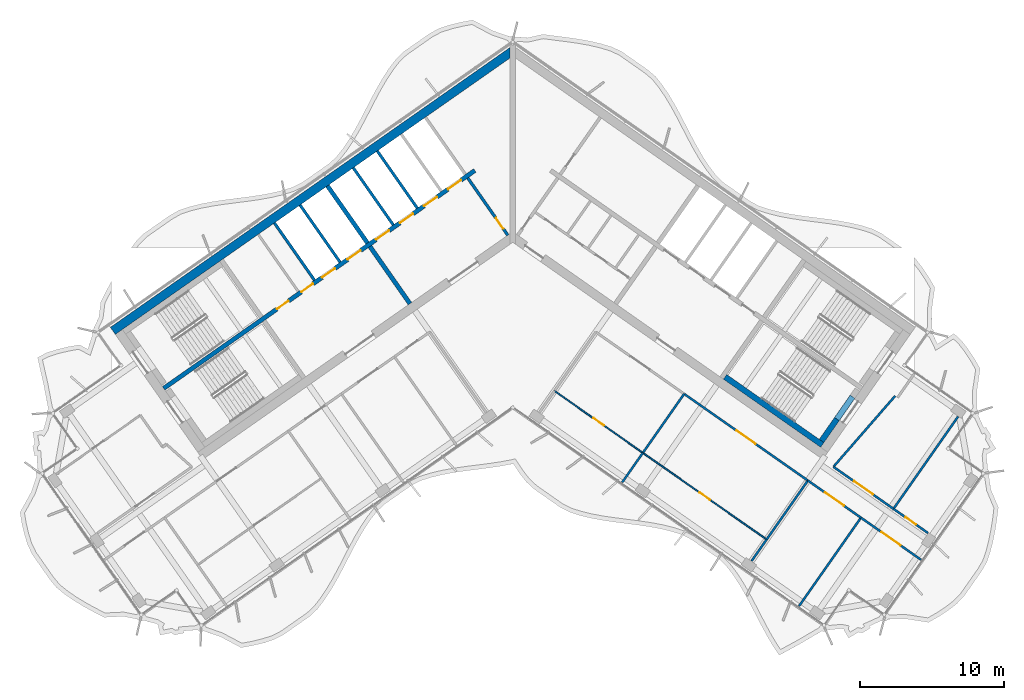
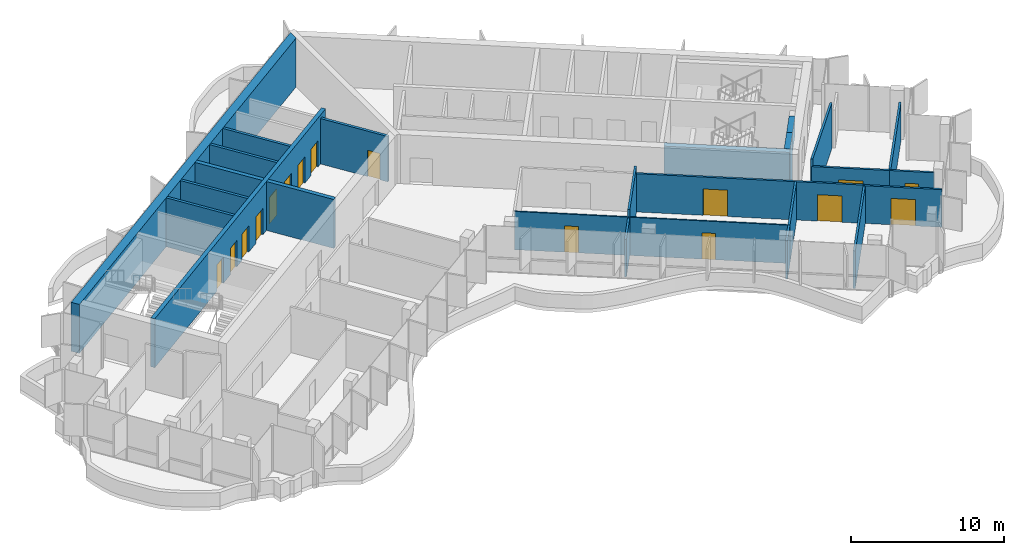
# One storey, part 12 of 20: 26 walls, 16 doors, 16 openings.
"""IFC4 building model written with IfcOpenShell, lengths in metres."""

from ifc_helpers import new_model, si_unit, direction, frame, frame_2d, origin, place, context, subcontext, project, spatial, polyline, rectangle, outline, extrude, material, layer, layer_set, type_object, element, fill, save


model = new_model("IFC4")

# Units and contexts
model_context = context("Model", 3, precision=1e-05, world=origin(), true_north=direction((0.0, 1.0)))
body_context = subcontext(model_context, "Body", "Model", "MODEL_VIEW")
ifc_project = project(units=[si_unit("LENGTHUNIT", "METRE"), si_unit("AREAUNIT", "SQUARE_METRE"), si_unit("VOLUMEUNIT", "CUBIC_METRE"), si_unit("PLANEANGLEUNIT", "RADIAN"), si_unit("MASSUNIT", "GRAM", prefix="KILO")], contexts=[model_context])

# Site, building, storey
site_placement = place(None, origin())
site = spatial("IfcSite", under=ifc_project, at=site_placement, CompositionType="ELEMENT")
building_placement = place(site_placement, origin())
building = spatial("IfcBuilding", under=site, at=building_placement, Name="Tel Ilan Convention Tower", CompositionType="ELEMENT")
storey_placement = place(building_placement, frame((0.0, 0.0, 229.300048828125)))
storey = spatial("IfcBuildingStorey", under=building, at=storey_placement, Name="L53", CompositionType="ELEMENT", Elevation=229.300048828125)

# Wall, opening, door
ifc_material_1 = material(Name="Concrete C30/37", Category="concrete")
ifc_layer_1 = layer(ifc_material_1, 0.199951171875)
ifc_layer_set_1 = layer_set([ifc_layer_1], Name="Core Service Room Wall 200 mm C30/37")
wall_type_1 = type_object("IfcWallType", Name="Core Service Room Wall 200 mm C30/37", PredefinedType="SOLIDWALL", material=ifc_layer_set_1)
wall_1_placement = place(storey_placement, frame((-0.343994140625, -0.729248046875, 0.0), z_axis=(0.0, 0.0, 1.0), x_axis=(-0.573560315113, 0.819163332265, 0.0)))
wall_1 = element("IfcWall", 1, at=wall_1_placement, inside=storey, type_object=wall_type_1, Name="L53 core wall apex-W", PredefinedType="SOLIDWALL", context=body_context, shape_type="SweptSolid", body=[
    extrude(rectangle(XDim=4.849853515625, YDim=0.199951171875, at=frame_2d((2.4248046875, 0.0))), origin(), (0.0, 0.0, 1.0), 3.619873046875),
])
opening_1_placement = place(wall_1_placement, frame((0.550048828125, 0.0, 0.0)))
opening_1 = element("IfcOpeningElement", 2, at=opening_1_placement, cuts=wall_1, Name="Opening CD4202", PredefinedType="OPENING", context=body_context, shape_type="SweptSolid", body=[
    extrude(rectangle(XDim=0.89990234375, YDim=2.10009765625, at=frame_2d((0.449951171875, 1.050048828125))), frame((0.0, 0.10986328125, 0.0), z_axis=(0.0, -1.0, 0.0), x_axis=(1.0, 0.0, 0.0)), (0.0, 0.0, 1.0), 0.219970703125),
])
ifc_material_2 = material(Name="Galvanised Steel Door Leaf", Category="steel")
door_type_1 = type_object("IfcDoorType", Name="Service Room Door 900 x 2100 FD60", OperationType="NOTDEFINED", PredefinedType="DOOR", material=ifc_material_2)
door_1_placement = place(opening_1_placement, origin())
door_1 = element("IfcDoor", 3, at=door_1_placement, inside=storey, type_object=door_type_1, Name="Telecom Room door", OperationType="SINGLE_SWING_RIGHT", OverallHeight=2.10009765625, OverallWidth=0.89990234375, PredefinedType="DOOR", context=body_context, shape_type="SweptSolid", body=[
    extrude(rectangle(XDim=0.89990234375, YDim=2.10009765625, at=frame_2d((0.449951171875, 1.050048828125))), frame((0.0, 0.02490234375, 0.0), z_axis=(0.0, -1.0, 0.0), x_axis=(1.0, 0.0, 0.0)), (0.0, 0.0, 1.0), 0.050048828125),
])
fill(opening_1, door_1)

# Walls
ifc_material_3 = material(Name="Concrete C40/50", Category="concrete")
ifc_layer_2 = layer(ifc_material_3, 0.300048828125)
ifc_layer_set_2 = layer_set([ifc_layer_2], Name="Core Shear Wall 300 mm C40/50")
wall_type_2 = type_object("IfcWallType", Name="Core Shear Wall 300 mm C40/50", PredefinedType="SHEAR", material=ifc_layer_set_2)
wall_2_placement = place(storey_placement, frame((-7.142822265625, -5.48974609375, 0.0), z_axis=(0.0, 0.0, 1.0), x_axis=(-0.573617744349, 0.819123118565, 0.0)))
element("IfcWall", 4, at=wall_2_placement, inside=storey, type_object=wall_type_2, Name="L53 core wall W-cross1-1", PredefinedType="SHEAR", context=body_context, shape_type="SweptSolid", body=[
    extrude(outline(polyline([(4.85009765625, 0.14990234375), (0.0, 0.150146484375), (0.0, -0.14990234375), (4.85009765625, -0.150146484375), (4.85009765625, 0.14990234375)])), origin(), (0.0, 0.0, 1.0), 3.89990234375),
])
wall_3_placement = place(storey_placement, frame((-10.096923828125, -1.271240234375, 0.0), z_axis=(0.0, 0.0, 1.0), x_axis=(-0.573560315113, 0.819163332265, 0.0)))
element("IfcWall", 5, at=wall_3_placement, inside=storey, type_object=wall_type_2, Name="L53 core wall W-cross1-2", PredefinedType="SHEAR", context=body_context, shape_type="SweptSolid", body=[
    extrude(outline(polyline([(4.849853515625, -0.14990234375), (4.849853515625, 0.150146484375), (0.0, 0.14990234375), (0.0, -0.150146484375), (4.849853515625, -0.14990234375)])), origin(), (0.0, 0.0, 1.0), 3.89990234375),
])

# Wall, openings, doors
wall_4_placement = place(storey_placement, frame((-2.638427734375, 3.76806640625, 0.0), z_axis=(0.0, 0.0, 1.0), x_axis=(-0.819155014212, -0.573572194837, 0.0)))
wall_4 = element("IfcWall", 6, at=wall_4_placement, inside=storey, type_object=wall_type_2, Name="L53 core wall W-spine", PredefinedType="SHEAR", context=body_context, shape_type="SweptSolid", body=[
    extrude(outline(polyline([(26.39990234375, 0.150146484375), (0.0, 0.14990234375), (0.0, -0.150146484375), (26.39990234375, -0.14990234375), (26.39990234375, 0.150146484375)])), origin(), (0.0, 0.0, 1.0), 3.89990234375),
])
opening_2_placement = place(wall_4_placement, frame((1.168701171875, 0.0, 0.0)))
opening_2 = element("IfcOpeningElement", 7, at=opening_2_placement, cuts=wall_4, Name="Opening LD4204", PredefinedType="OPENING", context=body_context, shape_type="SweptSolid", body=[
    extrude(rectangle(XDim=1.10009765625, YDim=2.10009765625, at=frame_2d((0.550048828125, 1.050048828125))), frame((0.0, 0.159912109375, 0.0), z_axis=(0.0, -1.0, 0.0), x_axis=(1.0, 0.0, 0.0)), (0.0, 0.0, 1.0), 0.320068359375),
])
opening_3_placement = place(wall_4_placement, frame((3.206298828125, 0.0, 0.0)))
opening_3 = element("IfcOpeningElement", 8, at=opening_3_placement, cuts=wall_4, Name="Opening LD4205", PredefinedType="OPENING", context=body_context, shape_type="SweptSolid", body=[
    extrude(rectangle(XDim=1.10009765625, YDim=2.10009765625, at=frame_2d((0.550048828125, 1.050048828125))), frame((0.0, 0.159912109375, 0.0), z_axis=(0.0, -1.0, 0.0), x_axis=(1.0, 0.0, 0.0)), (0.0, 0.0, 1.0), 0.320068359375),
])
opening_4_placement = place(wall_4_placement, frame((5.24365234375, 0.0, 0.0)))
opening_4 = element("IfcOpeningElement", 9, at=opening_4_placement, cuts=wall_4, Name="Opening LD4206", PredefinedType="OPENING", context=body_context, shape_type="SweptSolid", body=[
    extrude(rectangle(XDim=1.10009765625, YDim=2.10009765625, at=frame_2d((0.550048828125, 1.050048828125))), frame((0.0, 0.159912109375, 0.0), z_axis=(0.0, -1.0, 0.0), x_axis=(1.0, 0.0, 0.0)), (0.0, 0.0, 1.0), 0.320068359375),
])
opening_5_placement = place(wall_4_placement, frame((7.28125, 0.0, 0.0)))
opening_5 = element("IfcOpeningElement", 10, at=opening_5_placement, cuts=wall_4, Name="Opening LD4207", PredefinedType="OPENING", context=body_context, shape_type="SweptSolid", body=[
    extrude(rectangle(XDim=1.10009765625, YDim=2.10009765625, at=frame_2d((0.550048828125, 1.050048828125))), frame((0.0, 0.159912109375, 0.0), z_axis=(0.0, -1.0, 0.0), x_axis=(1.0, 0.0, 0.0)), (0.0, 0.0, 1.0), 0.320068359375),
])
opening_6_placement = place(wall_4_placement, frame((9.6875, 0.0, 0.0)))
opening_6 = element("IfcOpeningElement", 11, at=opening_6_placement, cuts=wall_4, Name="Opening LD4208", PredefinedType="OPENING", context=body_context, shape_type="SweptSolid", body=[
    extrude(rectangle(XDim=1.10009765625, YDim=2.10009765625, at=frame_2d((0.550048828125, 1.050048828125))), frame((0.0, 0.159912109375, 0.0), z_axis=(0.0, -1.0, 0.0), x_axis=(1.0, 0.0, 0.0)), (0.0, 0.0, 1.0), 0.320068359375),
])
opening_7_placement = place(wall_4_placement, frame((11.862548828125, 0.0, 0.0)))
opening_7 = element("IfcOpeningElement", 12, at=opening_7_placement, cuts=wall_4, Name="Opening LD4209", PredefinedType="OPENING", context=body_context, shape_type="SweptSolid", body=[
    extrude(rectangle(XDim=1.10009765625, YDim=2.10009765625, at=frame_2d((0.550048828125, 1.050048828125))), frame((0.0, 0.159912109375, 0.0), z_axis=(0.0, -1.0, 0.0), x_axis=(1.0, 0.0, 0.0)), (0.0, 0.0, 1.0), 0.320068359375),
])
opening_8_placement = place(wall_4_placement, frame((13.722412109375, 0.0, 0.0)))
opening_8 = element("IfcOpeningElement", 13, at=opening_8_placement, cuts=wall_4, Name="Opening CD4209", PredefinedType="OPENING", context=body_context, shape_type="SweptSolid", body=[
    extrude(rectangle(XDim=1.0, YDim=2.10009765625, at=frame_2d((0.5, 1.050048828125))), frame((0.0, 0.159912109375, 0.0), z_axis=(0.0, -1.0, 0.0), x_axis=(1.0, 0.0, 0.0)), (0.0, 0.0, 1.0), 0.320068359375),
])
opening_9_placement = place(wall_4_placement, frame((15.797607421875, 0.0, 0.0)))
opening_9 = element("IfcOpeningElement", 14, at=opening_9_placement, cuts=wall_4, Name="Opening CD4210", PredefinedType="OPENING", context=body_context, shape_type="SweptSolid", body=[
    extrude(rectangle(XDim=1.0, YDim=2.10009765625, at=frame_2d((0.5, 1.050048828125))), frame((0.0, 0.159912109375, 0.0), z_axis=(0.0, -1.0, 0.0), x_axis=(1.0, 0.0, 0.0)), (0.0, 0.0, 1.0), 0.320068359375),
])
ifc_material_4 = material(Name="Stainless Steel Sliding Door Leaf", Category="steel")
door_type_2 = type_object("IfcDoorType", Name="Lift Landing Door 1100 x 2100 FD120", OperationType="NOTDEFINED", PredefinedType="DOOR", material=ifc_material_4)
door_2_placement = place(opening_2_placement, origin())
door_2 = element("IfcDoor", 15, at=door_2_placement, inside=storey, type_object=door_type_2, Name="Lift HR1 landing door", OperationType="SLIDING_TO_LEFT", OverallHeight=2.10009765625, OverallWidth=1.10009765625, PredefinedType="DOOR", context=body_context, shape_type="SweptSolid", body=[
    extrude(rectangle(XDim=1.10009765625, YDim=2.10009765625, at=frame_2d((0.550048828125, 1.050048828125))), frame((0.0, 0.02490234375, 0.0), z_axis=(0.0, -1.0, 0.0), x_axis=(1.0, 0.0, 0.0)), (0.0, 0.0, 1.0), 0.050048828125),
])
fill(opening_2, door_2)
door_3_placement = place(opening_3_placement, origin())
door_3 = element("IfcDoor", 16, at=door_3_placement, inside=storey, type_object=door_type_2, Name="Lift HR2 landing door", OperationType="SLIDING_TO_RIGHT", OverallHeight=2.10009765625, OverallWidth=1.10009765625, PredefinedType="DOOR", context=body_context, shape_type="SweptSolid", body=[
    extrude(rectangle(XDim=1.10009765625, YDim=2.10009765625, at=frame_2d((0.550048828125, 1.050048828125))), frame((0.0, 0.02490234375, 0.0), z_axis=(0.0, -1.0, 0.0), x_axis=(1.0, 0.0, 0.0)), (0.0, 0.0, 1.0), 0.050048828125),
])
fill(opening_3, door_3)
door_4_placement = place(opening_4_placement, origin())
door_4 = element("IfcDoor", 17, at=door_4_placement, inside=storey, type_object=door_type_2, Name="Lift HR3 landing door", OperationType="SLIDING_TO_LEFT", OverallHeight=2.10009765625, OverallWidth=1.10009765625, PredefinedType="DOOR", context=body_context, shape_type="SweptSolid", body=[
    extrude(rectangle(XDim=1.10009765625, YDim=2.10009765625, at=frame_2d((0.550048828125, 1.050048828125))), frame((0.0, 0.02490234375, 0.0), z_axis=(0.0, -1.0, 0.0), x_axis=(1.0, 0.0, 0.0)), (0.0, 0.0, 1.0), 0.050048828125),
])
fill(opening_4, door_4)
door_5_placement = place(opening_5_placement, origin())
door_5 = element("IfcDoor", 18, at=door_5_placement, inside=storey, type_object=door_type_2, Name="Lift HR4 landing door", OperationType="SLIDING_TO_RIGHT", OverallHeight=2.10009765625, OverallWidth=1.10009765625, PredefinedType="DOOR", context=body_context, shape_type="SweptSolid", body=[
    extrude(rectangle(XDim=1.10009765625, YDim=2.10009765625, at=frame_2d((0.550048828125, 1.050048828125))), frame((0.0, 0.02490234375, 0.0), z_axis=(0.0, -1.0, 0.0), x_axis=(1.0, 0.0, 0.0)), (0.0, 0.0, 1.0), 0.050048828125),
])
fill(opening_5, door_5)
door_6_placement = place(opening_6_placement, origin())
door_6 = element("IfcDoor", 19, at=door_6_placement, inside=storey, type_object=door_type_2, Name="Lift HR5 landing door", OperationType="SLIDING_TO_LEFT", OverallHeight=2.10009765625, OverallWidth=1.10009765625, PredefinedType="DOOR", context=body_context, shape_type="SweptSolid", body=[
    extrude(rectangle(XDim=1.10009765625, YDim=2.10009765625, at=frame_2d((0.550048828125, 1.050048828125))), frame((0.0, 0.02490234375, 0.0), z_axis=(0.0, -1.0, 0.0), x_axis=(1.0, 0.0, 0.0)), (0.0, 0.0, 1.0), 0.050048828125),
])
fill(opening_6, door_6)
door_7_placement = place(opening_7_placement, origin())
door_7 = element("IfcDoor", 20, at=door_7_placement, inside=storey, type_object=door_type_2, Name="Lift HR6 landing door", OperationType="SLIDING_TO_RIGHT", OverallHeight=2.10009765625, OverallWidth=1.10009765625, PredefinedType="DOOR", context=body_context, shape_type="SweptSolid", body=[
    extrude(rectangle(XDim=1.10009765625, YDim=2.10009765625, at=frame_2d((0.550048828125, 1.050048828125))), frame((0.0, 0.02490234375, 0.0), z_axis=(0.0, -1.0, 0.0), x_axis=(1.0, 0.0, 0.0)), (0.0, 0.0, 1.0), 0.050048828125),
])
fill(opening_7, door_7)
ifc_material_5 = material(Name="Galvanised Steel Door Leaf", Category="steel")
door_type_3 = type_object("IfcDoorType", Name="Service Room Door 1000 x 2100 FD60", OperationType="NOTDEFINED", PredefinedType="DOOR", material=ifc_material_5)
door_8_placement = place(opening_8_placement, origin())
door_8 = element("IfcDoor", 21, at=door_8_placement, inside=storey, type_object=door_type_3, Name="Plant Room door", OperationType="SINGLE_SWING_RIGHT", OverallHeight=2.10009765625, OverallWidth=1.0, PredefinedType="DOOR", context=body_context, shape_type="SweptSolid", body=[
    extrude(rectangle(XDim=1.0, YDim=2.10009765625, at=frame_2d((0.5, 1.050048828125))), frame((0.0, 0.02490234375, 0.0), z_axis=(0.0, -1.0, 0.0), x_axis=(1.0, 0.0, 0.0)), (0.0, 0.0, 1.0), 0.050048828125),
])
fill(opening_8, door_8)
door_9_placement = place(opening_9_placement, origin())
door_9 = element("IfcDoor", 22, at=door_9_placement, inside=storey, type_object=door_type_3, Name="Plant Room door", OperationType="SINGLE_SWING_RIGHT", OverallHeight=2.10009765625, OverallWidth=1.0, PredefinedType="DOOR", context=body_context, shape_type="SweptSolid", body=[
    extrude(rectangle(XDim=1.0, YDim=2.10009765625, at=frame_2d((0.5, 1.050048828125))), frame((0.0, 0.02490234375, 0.0), z_axis=(0.0, -1.0, 0.0), x_axis=(1.0, 0.0, 0.0)), (0.0, 0.0, 1.0), 0.050048828125),
])
fill(opening_9, door_9)

# Wall
ifc_material_6 = material(Name="Concrete C40/50", Category="concrete")
ifc_layer_3 = layer(ifc_material_6, 0.60009765625)
ifc_layer_set_3 = layer_set([ifc_layer_3], Name="Core Shear Wall 600 mm C40/50")
wall_type_3 = type_object("IfcWallType", Name="Core Shear Wall 600 mm C40/50", PredefinedType="SHEAR", material=ifc_layer_set_3)
wall_5_placement = place(storey_placement, frame((-0.02783203125, 12.066162109375, 0.0), z_axis=(0.0, 0.0, 1.0), x_axis=(-0.819151382952, -0.573577380837, 0.0)))
element("IfcWall", 23, at=wall_5_placement, inside=storey, type_object=wall_type_3, Name="L53 core wall W-back", PredefinedType="SHEAR", context=body_context, shape_type="SweptSolid", body=[
    extrude(outline(polyline([(33.89794921875, 0.300048828125), (0.420166015625, 0.300048828125), (0.0, -0.300048828125), (33.898193359375, -0.300048828125), (33.89794921875, 0.300048828125)])), origin(), (0.0, 0.0, 1.0), 3.89990234375),
])

# Wall, opening, door
ifc_material_7 = material(Name="Plasterboard on Steel Studs", Category="steel")
ifc_layer_4 = layer(ifc_material_7, 0.14990234375)
ifc_layer_set_4 = layer_set([ifc_layer_4], Name="Fire-rated Partition 150 EI 60")
wall_type_4 = type_object("IfcWallType", Name="Fire-rated Partition 150 EI 60", PredefinedType="PARTITIONING", material=ifc_layer_set_4)
wall_6_placement = place(storey_placement, frame((22.283203125, -16.82373046875, 0.0), z_axis=(0.0, 0.0, 1.0), x_axis=(0.819171182807, -0.573549102744, 0.0)))
wall_6 = element("IfcWall", 24, at=wall_6_placement, inside=storey, type_object=wall_type_4, Name="Partition 001", PredefinedType="PARTITIONING", context=body_context, shape_type="SweptSolid", body=[
    extrude(rectangle(XDim=5.09912109375, YDim=0.14990234375, at=frame_2d((2.549560546875, 0.0))), origin(), (0.0, 0.0, 1.0), 3.050048828125),
])
opening_10_placement = place(wall_6_placement, frame((1.74951171875, 0.0, 0.0)))
opening_10 = element("IfcOpeningElement", 25, at=opening_10_placement, cuts=wall_6, Name="Opening L53-015", PredefinedType="OPENING", context=body_context, shape_type="SweptSolid", body=[
    extrude(rectangle(XDim=1.60009765625, YDim=2.10009765625, at=frame_2d((0.800048828125, 1.050048828125))), frame((0.0, 0.0849609375, 0.0), z_axis=(0.0, -1.0, 0.0), x_axis=(1.0, 0.0, 0.0)), (0.0, 0.0, 1.0), 0.169921875),
])
ifc_material_8 = material(Name="Timber Door Leaf in Steel Frame", Category="steel")
door_type_4 = type_object("IfcDoorType", Name="Tenant Suite Entrance Fire Door 1600x2100", OperationType="NOTDEFINED", PredefinedType="DOOR", material=ifc_material_8)
door_10_placement = place(opening_10_placement, origin())
door_10 = element("IfcDoor", 26, at=door_10_placement, inside=storey, type_object=door_type_4, Name="Door L53-015", OperationType="DOUBLE_DOOR_SINGLE_SWING", OverallHeight=2.10009765625, OverallWidth=1.60009765625, PredefinedType="DOOR", context=body_context, shape_type="SweptSolid", body=[
    extrude(rectangle(XDim=1.60009765625, YDim=2.10009765625, at=frame_2d((0.800048828125, 1.050048828125))), frame((0.0, 0.02490234375, 0.0), z_axis=(0.0, -1.0, 0.0), x_axis=(1.0, 0.0, 0.0)), (0.0, 0.0, 1.0), 0.050048828125),
])
fill(opening_10, door_10)

wall_7_placement = place(storey_placement, frame((26.456787109375, -19.74609375, 0.0), z_axis=(0.0, 0.0, 1.0), x_axis=(0.819177150809, -0.573540578855, 0.0)))
wall_7 = element("IfcWall", 27, at=wall_7_placement, inside=storey, type_object=wall_type_4, Name="Partition 002", PredefinedType="PARTITIONING", context=body_context, shape_type="SweptSolid", body=[
    extrude(rectangle(XDim=2.93212890625, YDim=0.14990234375, at=frame_2d((1.466064453125, 0.0))), origin(), (0.0, 0.0, 1.0), 3.050048828125),
])
opening_11_placement = place(wall_7_placement, frame((1.01611328125, 0.0, 0.0)))
opening_11 = element("IfcOpeningElement", 28, at=opening_11_placement, cuts=wall_7, Name="Opening L53-016", PredefinedType="OPENING", context=body_context, shape_type="SweptSolid", body=[
    extrude(rectangle(XDim=0.89990234375, YDim=2.10009765625, at=frame_2d((0.449951171875, 1.050048828125))), frame((0.0, 0.0849609375, 0.0), z_axis=(0.0, -1.0, 0.0), x_axis=(1.0, 0.0, 0.0)), (0.0, 0.0, 1.0), 0.169921875),
])
ifc_material_9 = material(Name="Timber Door Leaf in Steel Frame", Category="steel")
door_type_5 = type_object("IfcDoorType", Name="Room Fire Door 900x2100", OperationType="NOTDEFINED", PredefinedType="DOOR", material=ifc_material_9)
door_11_placement = place(opening_11_placement, origin())
door_11 = element("IfcDoor", 29, at=door_11_placement, inside=storey, type_object=door_type_5, Name="Door L53-016", OperationType="SINGLE_SWING_LEFT", OverallHeight=2.10009765625, OverallWidth=0.89990234375, PredefinedType="DOOR", context=body_context, shape_type="SweptSolid", body=[
    extrude(rectangle(XDim=0.89990234375, YDim=2.10009765625, at=frame_2d((0.449951171875, 1.050048828125))), frame((0.0, 0.02490234375, 0.0), z_axis=(0.0, -1.0, 0.0), x_axis=(1.0, 0.0, 0.0)), (0.0, 0.0, 1.0), 0.050048828125),
])
fill(opening_11, door_11)

wall_8_placement = place(storey_placement, frame((20.5126953125, -17.78125, 0.0), z_axis=(0.0, 0.0, 1.0), x_axis=(-0.819156568366, 0.573569975245, 0.0)))
wall_8 = element("IfcWall", 30, at=wall_8_placement, inside=storey, type_object=wall_type_4, Name="Partition 004", PredefinedType="PARTITIONING", context=body_context, shape_type="SweptSolid", body=[
    extrude(rectangle(XDim=10.50390625, YDim=0.14990234375, at=frame_2d((5.251953125, 0.0))), origin(), (0.0, 0.0, 1.0), 3.050048828125),
])
opening_12_placement = place(wall_8_placement, frame((4.451904296875, 0.0, 0.0)))
opening_12 = element("IfcOpeningElement", 31, at=opening_12_placement, cuts=wall_8, Name="Opening L53-011", PredefinedType="OPENING", context=body_context, shape_type="SweptSolid", body=[
    extrude(rectangle(XDim=1.60009765625, YDim=2.10009765625, at=frame_2d((0.800048828125, 1.050048828125))), frame((0.0, 0.0849609375, 0.0), z_axis=(0.0, -1.0, 0.0), x_axis=(1.0, 0.0, 0.0)), (0.0, 0.0, 1.0), 0.169921875),
])
door_12_placement = place(opening_12_placement, origin())
door_12 = element("IfcDoor", 32, at=door_12_placement, inside=storey, type_object=door_type_4, Name="Door L53-011", OperationType="DOUBLE_DOOR_SINGLE_SWING", OverallHeight=2.10009765625, OverallWidth=1.60009765625, PredefinedType="DOOR", context=body_context, shape_type="SweptSolid", body=[
    extrude(rectangle(XDim=1.60009765625, YDim=2.10009765625, at=frame_2d((0.800048828125, 1.050048828125))), frame((0.0, 0.02490234375, 0.0), z_axis=(0.0, -1.0, 0.0), x_axis=(1.0, 0.0, 0.0)), (0.0, 0.0, 1.0), 0.050048828125),
])
fill(opening_12, door_12)

wall_9_placement = place(storey_placement, frame((24.198974609375, -20.3623046875, 0.0), z_axis=(0.0, 0.0, 1.0), x_axis=(-0.819165703328, 0.573556928727, 0.0)))
wall_9 = element("IfcWall", 33, at=wall_9_placement, inside=storey, type_object=wall_type_4, Name="Partition 005", PredefinedType="PARTITIONING", context=body_context, shape_type="SweptSolid", body=[
    extrude(rectangle(XDim=4.50390625, YDim=0.14990234375, at=frame_2d((2.251953125, 0.0))), origin(), (0.0, 0.0, 1.0), 3.050048828125),
])
opening_13_placement = place(wall_9_placement, frame((1.451904296875, 0.0, 0.0)))
opening_13 = element("IfcOpeningElement", 34, at=opening_13_placement, cuts=wall_9, Name="Opening L53-013", PredefinedType="OPENING", context=body_context, shape_type="SweptSolid", body=[
    extrude(rectangle(XDim=1.60009765625, YDim=2.10009765625, at=frame_2d((0.800048828125, 1.050048828125))), frame((0.0, 0.0849609375, 0.0), z_axis=(0.0, -1.0, 0.0), x_axis=(1.0, 0.0, 0.0)), (0.0, 0.0, 1.0), 0.169921875),
])
door_13_placement = place(opening_13_placement, origin())
door_13 = element("IfcDoor", 35, at=door_13_placement, inside=storey, type_object=door_type_4, Name="Door L53-013", OperationType="DOUBLE_DOOR_SINGLE_SWING", OverallHeight=2.10009765625, OverallWidth=1.60009765625, PredefinedType="DOOR", context=body_context, shape_type="SweptSolid", body=[
    extrude(rectangle(XDim=1.60009765625, YDim=2.10009765625, at=frame_2d((0.800048828125, 1.050048828125))), frame((0.0, 0.02490234375, 0.0), z_axis=(0.0, -1.0, 0.0), x_axis=(1.0, 0.0, 0.0)), (0.0, 0.0, 1.0), 0.050048828125),
])
fill(opening_13, door_13)

wall_10_placement = place(storey_placement, frame((28.375, -23.28662109375, 0.0), z_axis=(0.0, 0.0, 1.0), x_axis=(-0.819132992492, 0.573603644176, 0.0)))
wall_10 = element("IfcWall", 36, at=wall_10_placement, inside=storey, type_object=wall_type_4, Name="Partition 006", PredefinedType="PARTITIONING", context=body_context, shape_type="SweptSolid", body=[
    extrude(rectangle(XDim=5.10205078125, YDim=0.14990234375, at=frame_2d((2.551025390625, 0.0))), origin(), (0.0, 0.0, 1.0), 3.0),
])
opening_14_placement = place(wall_10_placement, frame((1.7509765625, 0.0, 0.0)))
opening_14 = element("IfcOpeningElement", 37, at=opening_14_placement, cuts=wall_10, Name="Opening L53-014", PredefinedType="OPENING", context=body_context, shape_type="SweptSolid", body=[
    extrude(rectangle(XDim=1.60009765625, YDim=2.10009765625, at=frame_2d((0.800048828125, 1.050048828125))), frame((0.0, 0.0849609375, 0.0), z_axis=(0.0, -1.0, 0.0), x_axis=(1.0, 0.0, 0.0)), (0.0, 0.0, 1.0), 0.169921875),
])
door_14_placement = place(opening_14_placement, origin())
door_14 = element("IfcDoor", 38, at=door_14_placement, inside=storey, type_object=door_type_4, Name="Door L53-014", OperationType="DOUBLE_DOOR_SINGLE_SWING", OverallHeight=2.10009765625, OverallWidth=1.60009765625, PredefinedType="DOOR", context=body_context, shape_type="SweptSolid", body=[
    extrude(rectangle(XDim=1.60009765625, YDim=2.10009765625, at=frame_2d((0.800048828125, 1.050048828125))), frame((0.0, 0.02490234375, 0.0), z_axis=(0.0, -1.0, 0.0), x_axis=(1.0, 0.0, 0.0)), (0.0, 0.0, 1.0), 0.050048828125),
])
fill(opening_14, door_14)

# Walls
wall_11_placement = place(storey_placement, frame((30.949462890625, -13.333251953125, 0.0), z_axis=(0.0, 0.0, 1.0), x_axis=(-0.573558601227, -0.819164532288, 0.0)))
element("IfcWall", 39, at=wall_11_placement, inside=storey, type_object=wall_type_4, Name="Partition 013", PredefinedType="PARTITIONING", context=body_context, shape_type="SweptSolid", body=[
    extrude(rectangle(XDim=7.830078125, YDim=0.14990234375, at=frame_2d((3.9150390625, 0.0))), origin(), (0.0, 0.0, 1.0), 3.0),
])
wall_12_placement = place(storey_placement, frame((22.284912109375, -16.82470703125, 0.0), z_axis=(0.0, 0.0, 1.0), x_axis=(0.656781429942, 0.754080999153, 0.0)))
element("IfcWall", 40, at=wall_12_placement, inside=storey, type_object=wall_type_4, Name="Partition 014", PredefinedType="PARTITIONING", context=body_context, shape_type="SweptSolid", body=[
    extrude(rectangle(XDim=6.536376953125, YDim=0.14990234375, at=frame_2d((3.26806640625, 0.0))), origin(), (0.0, 0.0, 1.0), 3.619873046875),
])
wall_13_placement = place(storey_placement, frame((9.04150390625, -15.854248046875, 0.0), z_axis=(0.0, 0.0, 1.0), x_axis=(-0.573560689761, -0.819163069945, 0.0)))
element("IfcWall", 41, at=wall_13_placement, inside=storey, type_object=wall_type_4, Name="Partition 017", PredefinedType="PARTITIONING", context=body_context, shape_type="SweptSolid", body=[
    extrude(rectangle(XDim=2.4990234375, YDim=0.14990234375, at=frame_2d((1.24951171875, 0.0))), origin(), (0.0, 0.0, 1.0), 3.0),
])
wall_14_placement = place(storey_placement, frame((11.909912109375, -11.757568359375, 0.0), z_axis=(0.0, 0.0, 1.0), x_axis=(-0.573563925118, -0.819160804606, 0.0)))
element("IfcWall", 42, at=wall_14_placement, inside=storey, type_object=wall_type_4, Name="Partition 019", PredefinedType="PARTITIONING", context=body_context, shape_type="SweptSolid", body=[
    extrude(rectangle(XDim=5.000244140625, YDim=0.14990234375, at=frame_2d((2.5, 0.0))), origin(), (0.0, 0.0, 1.0), 3.619873046875),
])
wall_15_placement = place(storey_placement, frame((17.642578125, -21.876708984375, 0.0), z_axis=(0.0, 0.0, 1.0), x_axis=(-0.573560882037, -0.819162935317, 0.0)))
element("IfcWall", 43, at=wall_15_placement, inside=storey, type_object=wall_type_4, Name="Partition 022", PredefinedType="PARTITIONING", context=body_context, shape_type="SweptSolid", body=[
    extrude(rectangle(XDim=1.8291015625, YDim=0.14990234375, at=frame_2d((0.91455078125, 0.0))), origin(), (0.0, 0.0, 1.0), 3.050048828125),
])
wall_16_placement = place(storey_placement, frame((20.510986328125, -17.7802734375, 0.0), z_axis=(0.0, 0.0, 1.0), x_axis=(-0.573554101347, -0.819167682973, 0.0)))
element("IfcWall", 44, at=wall_16_placement, inside=storey, type_object=wall_type_4, Name="Partition 023", PredefinedType="PARTITIONING", context=body_context, shape_type="SweptSolid", body=[
    extrude(rectangle(XDim=4.999755859375, YDim=0.14990234375, at=frame_2d((2.5, 0.0))), origin(), (0.0, 0.0, 1.0), 3.050048828125),
])
wall_17_placement = place(storey_placement, frame((24.197265625, -20.361328125, 0.0), z_axis=(0.0, 0.0, 1.0), x_axis=(-0.573575945067, -0.81915238829, 0.0)))
element("IfcWall", 45, at=wall_17_placement, inside=storey, type_object=wall_type_4, Name="Partition 024", PredefinedType="PARTITIONING", context=body_context, shape_type="SweptSolid", body=[
    extrude(rectangle(XDim=7.5, YDim=0.14990234375, at=frame_2d((3.75, 0.0))), origin(), (0.0, 0.0, 1.0), 3.0),
])
ifc_material_10 = material(Name="Concrete C30/37", Category="concrete")
ifc_layer_5 = layer(ifc_material_10, 0.199951171875)
ifc_layer_set_5 = layer_set([ifc_layer_5], Name="Lift Shaft Wall 200 mm C30/37")
wall_type_5 = type_object("IfcWallType", Name="Lift Shaft Wall 200 mm C30/37", PredefinedType="SOLIDWALL", material=ifc_layer_set_5)
wall_18_placement = place(storey_placement, frame((-6.635986328125, 1.152099609375, 0.0), z_axis=(0.0, 0.0, 1.0), x_axis=(-0.573560315113, 0.819163332265, 0.0)))
element("IfcWall", 46, at=wall_18_placement, inside=storey, type_object=wall_type_5, Name="L53 core wall bank-W1-p1", PredefinedType="SOLIDWALL", context=body_context, shape_type="SweptSolid", body=[
    extrude(rectangle(XDim=4.849853515625, YDim=0.199951171875, at=frame_2d((2.4248046875, 0.0))), origin(), (0.0, 0.0, 1.0), 3.89990234375),
])
wall_19_placement = place(storey_placement, frame((-8.304931640625, -0.0166015625, 0.0), z_axis=(0.0, 0.0, 1.0), x_axis=(-0.573594092424, 0.81913968109, 0.0)))
element("IfcWall", 47, at=wall_19_placement, inside=storey, type_object=wall_type_5, Name="L53 core wall bank-W1-p2", PredefinedType="SOLIDWALL", context=body_context, shape_type="SweptSolid", body=[
    extrude(rectangle(XDim=4.85009765625, YDim=0.199951171875, at=frame_2d((2.425048828125, 0.0))), origin(), (0.0, 0.0, 1.0), 3.89990234375),
])
wall_20_placement = place(storey_placement, frame((-12.00146484375, -2.604736328125, 0.0), z_axis=(0.0, 0.0, 1.0), x_axis=(-0.573560315113, 0.819163332265, 0.0)))
element("IfcWall", 48, at=wall_20_placement, inside=storey, type_object=wall_type_5, Name="L53 core wall bank-W2-p0", PredefinedType="SOLIDWALL", context=body_context, shape_type="SweptSolid", body=[
    extrude(rectangle(XDim=4.849853515625, YDim=0.199951171875, at=frame_2d((2.4248046875, 0.0))), origin(), (0.0, 0.0, 1.0), 3.89990234375),
])
wall_21_placement = place(storey_placement, frame((-13.782958984375, -3.852294921875, 0.0), z_axis=(0.0, 0.0, 1.0), x_axis=(-0.573594092424, 0.81913968109, 0.0)))
element("IfcWall", 49, at=wall_21_placement, inside=storey, type_object=wall_type_5, Name="L53 core wall bank-W2-p1", PredefinedType="SOLIDWALL", context=body_context, shape_type="SweptSolid", body=[
    extrude(rectangle(XDim=4.85009765625, YDim=0.199951171875, at=frame_2d((2.425048828125, 0.0))), origin(), (0.0, 0.0, 1.0), 3.89990234375),
])

# Wall, opening, door
ifc_material_11 = material(Name="Plasterboard on Steel Studs", Category="steel")
ifc_layer_6 = layer(ifc_material_11, 0.10009765625)
ifc_layer_set_6 = layer_set([ifc_layer_6], Name="Plasterboard Partition 100")
wall_type_6 = type_object("IfcWallType", Name="Plasterboard Partition 100", PredefinedType="PARTITIONING", material=ifc_layer_set_6)
wall_22_placement = place(storey_placement, frame((9.04150390625, -15.854248046875, 0.0), z_axis=(0.0, 0.0, 1.0), x_axis=(-0.81915238829, 0.573575945067, 0.0)))
wall_22 = element("IfcWall", 50, at=wall_22_placement, inside=storey, type_object=wall_type_6, Name="Partition 016", PredefinedType="PARTITIONING", context=body_context, shape_type="SweptSolid", body=[
    extrude(rectangle(XDim=7.5, YDim=0.10009765625, at=frame_2d((3.75, 0.0))), origin(), (0.0, 0.0, 1.0), 3.050048828125),
])
opening_15_placement = place(wall_22_placement, frame((3.300048828125, 0.0, 0.0)))
opening_15 = element("IfcOpeningElement", 51, at=opening_15_placement, cuts=wall_22, Name="Opening L53-010", PredefinedType="OPENING", context=body_context, shape_type="SweptSolid", body=[
    extrude(rectangle(XDim=0.89990234375, YDim=2.10009765625, at=frame_2d((0.449951171875, 1.050048828125))), frame((0.0, 0.06005859375, 0.0), z_axis=(0.0, -1.0, 0.0), x_axis=(1.0, 0.0, 0.0)), (0.0, 0.0, 1.0), 0.1201171875),
])
ifc_material_12 = material(Name="Timber Door Leaf in Steel Frame", Category="steel")
door_type_6 = type_object("IfcDoorType", Name="Room Timber Door 900x2100", OperationType="NOTDEFINED", PredefinedType="DOOR", material=ifc_material_12)
door_15_placement = place(opening_15_placement, origin())
door_15 = element("IfcDoor", 52, at=door_15_placement, inside=storey, type_object=door_type_6, Name="Door L53-010", OperationType="SINGLE_SWING_RIGHT", OverallHeight=2.10009765625, OverallWidth=0.89990234375, PredefinedType="DOOR", context=body_context, shape_type="SweptSolid", body=[
    extrude(rectangle(XDim=0.89990234375, YDim=2.10009765625, at=frame_2d((0.449951171875, 1.050048828125))), frame((0.0, 0.02490234375, 0.0), z_axis=(0.0, -1.0, 0.0), x_axis=(1.0, 0.0, 0.0)), (0.0, 0.0, 1.0), 0.050048828125),
])
fill(opening_15, door_15)

wall_23_placement = place(storey_placement, frame((17.642578125, -21.876708984375, 0.0), z_axis=(0.0, 0.0, 1.0), x_axis=(-0.819155448096, 0.573571575181, 0.0)))
wall_23 = element("IfcWall", 53, at=wall_23_placement, inside=storey, type_object=wall_type_6, Name="Partition 021", PredefinedType="PARTITIONING", context=body_context, shape_type="SweptSolid", body=[
    extrude(rectangle(XDim=10.5, YDim=0.10009765625, at=frame_2d((5.25, 0.0))), origin(), (0.0, 0.0, 1.0), 3.050048828125),
])
opening_16_placement = place(wall_23_placement, frame((4.800048828125, 0.0, 0.0)))
opening_16 = element("IfcOpeningElement", 54, at=opening_16_placement, cuts=wall_23, Name="Opening L53-012", PredefinedType="OPENING", context=body_context, shape_type="SweptSolid", body=[
    extrude(rectangle(XDim=0.89990234375, YDim=2.10009765625, at=frame_2d((0.449951171875, 1.050048828125))), frame((0.0, 0.06005859375, 0.0), z_axis=(0.0, -1.0, 0.0), x_axis=(1.0, 0.0, 0.0)), (0.0, 0.0, 1.0), 0.1201171875),
])
door_16_placement = place(opening_16_placement, origin())
door_16 = element("IfcDoor", 55, at=door_16_placement, inside=storey, type_object=door_type_6, Name="Door L53-012", OperationType="SINGLE_SWING_LEFT", OverallHeight=2.10009765625, OverallWidth=0.89990234375, PredefinedType="DOOR", context=body_context, shape_type="SweptSolid", body=[
    extrude(rectangle(XDim=0.89990234375, YDim=2.10009765625, at=frame_2d((0.449951171875, 1.050048828125))), frame((0.0, 0.02490234375, 0.0), z_axis=(0.0, -1.0, 0.0), x_axis=(1.0, 0.0, 0.0)), (0.0, 0.0, 1.0), 0.050048828125),
])
fill(opening_16, door_16)

# Walls
ifc_material_13 = material(Name="Concrete C30/37", Category="concrete")
ifc_layer_7 = layer(ifc_material_13, 0.39990234375)
ifc_layer_set_7 = layer_set([ifc_layer_7], Name="Stair and Shaft Lining Wall 400 mm C30/37")
wall_type_7 = type_object("IfcWallType", Name="Stair and Shaft Lining Wall 400 mm C30/37", PredefinedType="SOLIDWALL", material=ifc_layer_set_7)
wall_24_placement = place(storey_placement, frame((14.7529296875, -10.57421875, 0.0), z_axis=(0.0, 0.0, 1.0), x_axis=(0.819158229677, -0.573567602601, 0.0)))
element("IfcWall", 56, at=wall_24_placement, inside=storey, type_object=wall_type_7, Name="L53 core wall lining-S4-t0", PredefinedType="SOLIDWALL", context=body_context, shape_type="SweptSolid", body=[
    extrude(rectangle(XDim=8.25, YDim=0.39990234375, at=frame_2d((4.125, 0.0))), origin(), (0.0, 0.0, 1.0), 3.619873046875),
])
wall_25_placement = place(storey_placement, frame((21.4619140625, -15.027587890625, 0.0), z_axis=(0.0, 0.0, 1.0), x_axis=(0.573559770908, 0.819163713305, 0.0)))
element("IfcWall", 57, at=wall_25_placement, inside=storey, type_object=wall_type_7, Name="L53 core wall lining-S4-u1-0", PredefinedType="SOLIDWALL", context=body_context, shape_type="SweptSolid", body=[
    extrude(rectangle(XDim=1.849853515625, YDim=0.39990234375, at=frame_2d((0.9248046875, 0.0))), origin(), (0.0, 0.0, 1.0), 3.619873046875),
])
wall_26_placement = place(storey_placement, frame((22.52294921875, -13.51220703125, 2.14990234375), z_axis=(0.0, 0.0, 1.0), x_axis=(0.573591692345, 0.819141361715, 0.0)))
element("IfcWall", 58, at=wall_26_placement, inside=storey, type_object=wall_type_7, Name="L53 core wall lining-S4-u1-lintel", PredefinedType="SOLIDWALL", context=body_context, shape_type="SweptSolid", body=[
    extrude(rectangle(XDim=1.900146484375, YDim=0.39990234375, at=frame_2d((0.9501953125, 0.0))), origin(), (0.0, 0.0, 1.0), 1.469970703125),
])

save(model, "model.ifc")
